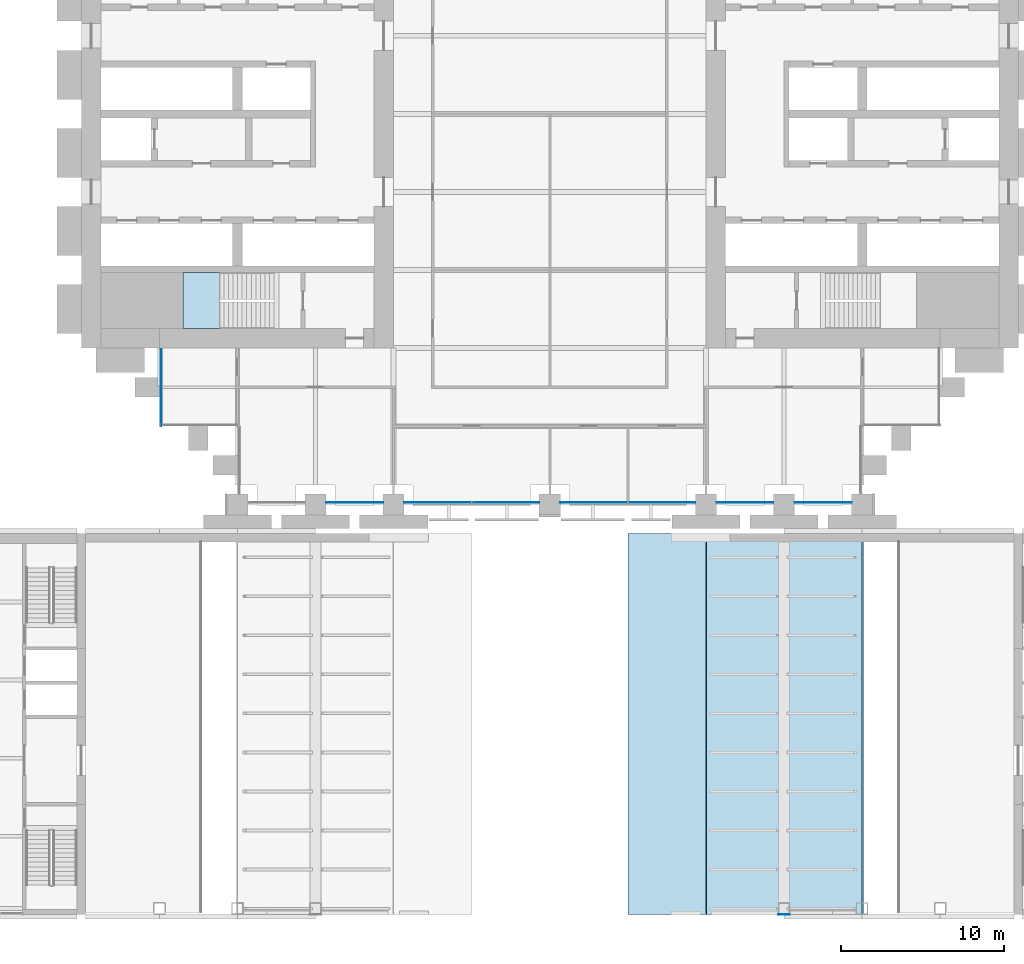
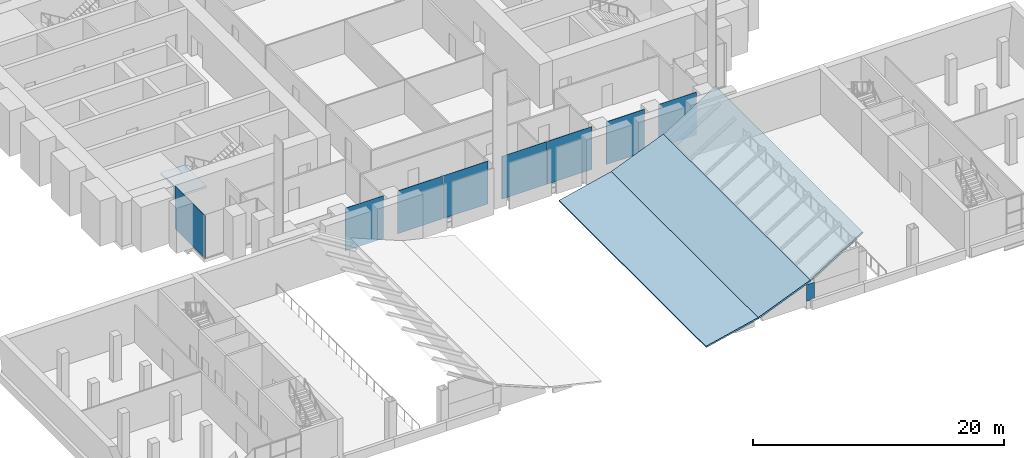
# One storey, part 17 of 32: 9 plates, 4 slabs, 3 elements without a shape of their own.
"""IFC4 building model written with IfcOpenShell, lengths in metres."""

from ifc_helpers import new_model, si_unit, direction, frame, origin, origin_2d, place, context, subcontext, project, spatial, polyline, rectangle, outline, extrude, material, layer, layer_set, type_object, element, aggregate, save


model = new_model("IFC4")

# Units and contexts
model_context = context("Model", 3, precision=1e-05, world=origin(), true_north=direction((0.0, 1.0)))
body_context = subcontext(model_context, "Body", "Model", "MODEL_VIEW")
ifc_project = project(units=[si_unit("LENGTHUNIT", "METRE"), si_unit("AREAUNIT", "SQUARE_METRE"), si_unit("VOLUMEUNIT", "CUBIC_METRE"), si_unit("PLANEANGLEUNIT", "RADIAN"), si_unit("MASSUNIT", "GRAM", prefix="KILO")], contexts=[model_context])

# Site, building, storey
site_placement = place(None, origin())
site = spatial("IfcSite", under=ifc_project, at=site_placement, CompositionType="ELEMENT")
building_placement = place(site_placement, origin())
building = spatial("IfcBuilding", under=site, at=building_placement, Name="Baori Bourse Tower", CompositionType="ELEMENT")
storey_placement = place(building_placement, frame((0.0, 0.0, 12.60009765625)))
storey = spatial("IfcBuildingStorey", under=building, at=storey_placement, Name="L01", CompositionType="ELEMENT", Elevation=12.60009765625)

# Curtain wall, plates
ifc_material_1 = material(Name="Pale anodised aluminium", Category="aluminium")
curtain_wall_type_1 = type_object("IfcCurtainWallType", Name="CW1 Curtain wall", PredefinedType="NOTDEFINED", material=ifc_material_1)
curtain_wall_1_placement = place(storey_placement, origin())
curtain_wall_1 = element("IfcCurtainWall", 1, at=curtain_wall_1_placement, inside=storey, type_object=curtain_wall_type_1, Name="Curtain wall CW1 L01 11", PredefinedType="NOTDEFINED")
ifc_material_2 = material(Name="Clear glass", Category="glass")
ifc_layer_1 = layer(ifc_material_2, 0.033935546875)
ifc_layer_set_1 = layer_set([ifc_layer_1], Name="CW1 Curtain wall panel")
plate_type_1 = type_object("IfcPlateType", Name="CW1 Curtain wall panel", PredefinedType="CURTAIN_PANEL", material=ifc_layer_set_1)
plate_1_placement = place(storey_placement, frame((16.800048828125, 0.10009765625, 0.080078125), z_axis=(0.0, 0.0, 1.0), x_axis=(1.0, 0.0, 0.0)))
plate_1 = element("IfcPlate", 2, at=plate_1_placement, type_object=plate_type_1, Name="Curtain wall CW1 panel", PredefinedType="CURTAIN_PANEL", context=body_context, shape_type="SweptSolid", body=[
    extrude(rectangle(XDim=3.5, YDim=0.033935546875, at=origin_2d()), origin(), (0.0, 0.0, 1.0), 4.159912109375),
])
plate_2_placement = place(storey_placement, frame((21.909912109375, 0.10009765625, 0.080078125), z_axis=(0.0, 0.0, 1.0), x_axis=(1.0, 0.0, 0.0)))
plate_2 = element("IfcPlate", 3, at=plate_2_placement, type_object=plate_type_1, Name="Curtain wall CW1 panel", PredefinedType="CURTAIN_PANEL", context=body_context, shape_type="SweptSolid", body=[
    extrude(rectangle(XDim=4.1201171875, YDim=0.033935546875, at=origin_2d()), origin(), (0.0, 0.0, 1.0), 4.159912109375),
])
plate_3_placement = place(storey_placement, frame((26.090087890625, 0.10009765625, 0.080078125), z_axis=(0.0, 0.0, 1.0), x_axis=(1.0, 0.0, 0.0)))
plate_3 = element("IfcPlate", 4, at=plate_3_placement, type_object=plate_type_1, Name="Curtain wall CW1 panel", PredefinedType="CURTAIN_PANEL", context=body_context, shape_type="SweptSolid", body=[
    extrude(rectangle(XDim=4.1201171875, YDim=0.033935546875, at=origin_2d()), origin(), (0.0, 0.0, 1.0), 4.159912109375),
])
plate_4_placement = place(storey_placement, frame((31.510009765625, 0.10009765625, 0.080078125), z_axis=(0.0, 0.0, 1.0), x_axis=(1.0, 0.0, 0.0)))
plate_4 = element("IfcPlate", 5, at=plate_4_placement, type_object=plate_type_1, Name="Curtain wall CW1 panel", PredefinedType="CURTAIN_PANEL", context=body_context, shape_type="SweptSolid", body=[
    extrude(rectangle(XDim=4.1201171875, YDim=0.033935546875, at=origin_2d()), origin(), (0.0, 0.0, 1.0), 4.159912109375),
])
plate_5_placement = place(storey_placement, frame((35.68994140625, 0.10009765625, 0.080078125), z_axis=(0.0, 0.0, 1.0), x_axis=(1.0, 0.0, 0.0)))
plate_5 = element("IfcPlate", 6, at=plate_5_placement, type_object=plate_type_1, Name="Curtain wall CW1 panel", PredefinedType="CURTAIN_PANEL", context=body_context, shape_type="SweptSolid", body=[
    extrude(rectangle(XDim=4.1201171875, YDim=0.033935546875, at=origin_2d()), origin(), (0.0, 0.0, 1.0), 4.159912109375),
])
plate_6_placement = place(storey_placement, frame((40.800048828125, 0.10009765625, 0.080078125), z_axis=(0.0, 0.0, 1.0), x_axis=(1.0, 0.0, 0.0)))
plate_6 = element("IfcPlate", 7, at=plate_6_placement, type_object=plate_type_1, Name="Curtain wall CW1 panel", PredefinedType="CURTAIN_PANEL", context=body_context, shape_type="SweptSolid", body=[
    extrude(rectangle(XDim=3.5, YDim=0.033935546875, at=origin_2d()), origin(), (0.0, 0.0, 1.0), 4.159912109375),
])
plate_7_placement = place(storey_placement, frame((45.60009765625, 0.10009765625, 0.080078125), z_axis=(0.0, 0.0, 1.0), x_axis=(1.0, 0.0, 0.0)))
plate_7 = element("IfcPlate", 8, at=plate_7_placement, type_object=plate_type_1, Name="Curtain wall CW1 panel", PredefinedType="CURTAIN_PANEL", context=body_context, shape_type="SweptSolid", body=[
    extrude(rectangle(XDim=3.5, YDim=0.033935546875, at=origin_2d()), origin(), (0.0, 0.0, 1.0), 4.159912109375),
])
aggregate(curtain_wall_1, [plate_1, plate_2, plate_3, plate_4, plate_5, plate_6, plate_7])

# Curtain wall, plate
ifc_material_3 = material(Name="Pale anodised aluminium", Category="aluminium")
curtain_wall_type_2 = type_object("IfcCurtainWallType", Name="CW2 Curtain wall", PredefinedType="NOTDEFINED", material=ifc_material_3)
curtain_wall_2_placement = place(storey_placement, origin())
curtain_wall_2 = element("IfcCurtainWall", 9, at=curtain_wall_2_placement, inside=storey, type_object=curtain_wall_type_2, Name="Curtain wall CW2 L01 8", PredefinedType="NOTDEFINED")
ifc_material_4 = material(Name="Clear glass", Category="glass")
ifc_layer_2 = layer(ifc_material_4, 0.030029296875)
ifc_layer_set_2 = layer_set([ifc_layer_2], Name="CW2 Curtain wall panel")
plate_type_2 = type_object("IfcPlateType", Name="CW2 Curtain wall panel", PredefinedType="CURTAIN_PANEL", material=ifc_layer_set_2)
plate_8_placement = place(storey_placement, frame((4.889892578125, 7.172607421875, 0.06982421875), z_axis=(0.0, 0.0, 1.0), x_axis=(0.0, -1.0, 0.0)))
plate_8 = element("IfcPlate", 10, at=plate_8_placement, type_object=plate_type_2, Name="Curtain wall CW2 panel", PredefinedType="CURTAIN_PANEL", context=body_context, shape_type="SweptSolid", body=[
    extrude(rectangle(XDim=4.7451171875, YDim=0.030029296875, at=origin_2d()), origin(), (0.0, 0.0, 1.0), 4.169921875),
])
aggregate(curtain_wall_2, [plate_8])

# Stair, slab
ifc_material_5 = material(Name="Concrete f'c 50 MPa", Category="concrete")
stair_type = type_object("IfcStairType", Name="Core stair", PredefinedType="HALF_TURN_STAIR", material=ifc_material_5)
stair_placement = place(storey_placement, origin())
stair = element("IfcStair", 11, at=stair_placement, inside=storey, type_object=stair_type, Name="L01 Stair WA", PredefinedType="HALF_TURN_STAIR")
ifc_material_6 = material(Name="Concrete f'c 50 MPa", Category="concrete")
slab_type_1 = type_object("IfcSlabType", Name="Core stair landing", PredefinedType="LANDING", material=ifc_material_6)
slab_1_placement = place(storey_placement, frame((0.0, 0.0, 2.0)))
slab_1 = element("IfcSlab", 12, at=slab_1_placement, type_object=slab_type_1, Name="ST1 landing 1", PredefinedType="LANDING", context=body_context, shape_type="SweptSolid", body=[
    extrude(outline(polyline([(8.489990234375, 14.25), (6.25, 14.25), (6.25, 10.800048828125), (8.489990234375, 10.800048828125), (8.489990234375, 14.25)])), origin(), (0.0, 0.0, 1.0), 0.199951171875),
])
aggregate(stair, [slab_1])

# Plate
ifc_material_7 = material(Name="Steel A572 Gr 50", Category="steel")
ifc_layer_3 = layer(ifc_material_7, 0.030029296875)
ifc_layer_set_3 = layer_set([ifc_layer_3], Name="Girder end plate 30")
plate_type_3 = type_object("IfcPlateType", Name="Girder end plate 30", PredefinedType="SHEET", material=ifc_layer_set_3)
plate_9_placement = place(storey_placement, frame((0.0, 0.0, 0.822021484375)))
element("IfcPlate", 13, at=plate_9_placement, inside=storey, type_object=plate_type_3, Name="Girder end plate", PredefinedType="SHEET", context=body_context, shape_type="SweptSolid", body=[
    extrude(outline(polyline([(42.85009765625, -25.22998046875), (43.550048828125, -25.22998046875), (43.550048828125, -25.199951171875), (42.85009765625, -25.199951171875), (42.85009765625, -25.22998046875)])), origin(), (0.0, 0.0, 1.0), 1.599853515625),
])

# Slabs
ifc_material_8 = material(Name="Concrete f'c 40 MPa", Category="concrete")
ifc_layer_4 = layer(ifc_material_8, 0.14990234375)
ifc_layer_set_4 = layer_set([ifc_layer_4], Name="Hall roof deck 150")
slab_type_2 = type_object("IfcSlabType", Name="Hall roof deck 150", PredefinedType="ROOF", material=ifc_layer_set_4)
slab_2_placement = place(storey_placement, frame((33.60009765625, -25.199951171875, -0.3359375), z_axis=(-0.227026035754, 0.0, 0.973888689271), x_axis=(0.973888689271, 0.0, 0.227026035754)))
element("IfcSlab", 14, at=slab_2_placement, inside=storey, type_object=slab_type_2, Name="wing/L01/deck/004", PredefinedType="ROOF", context=body_context, shape_type="SweptSolid", body=[
    extrude(outline(polyline([(0.0, 0.0), (4.9284941291325195, 0.0), (4.9284941291325195, 23.399902343750004), (0.0, 23.399902343750004), (0.0, 0.0)])), origin(), (0.0, 0.0, -1.0), 0.14990234375),
])
slab_3_placement = place(storey_placement, frame((38.39990234375, -25.199951171875, 0.782958984375), z_axis=(-0.378466022499, 0.0, 0.92561518452), x_axis=(0.92561518452, 0.0, 0.378466022499)))
element("IfcSlab", 15, at=slab_3_placement, inside=storey, type_object=slab_type_2, Name="wing/L01/deck/005", PredefinedType="ROOF", context=body_context, shape_type="SweptSolid", body=[
    extrude(outline(polyline([(0.0, 0.0), (5.185793090262447, 0.0), (5.185793090262447, 23.39990234375), (0.0, 23.39990234375), (0.0, 0.0)])), origin(), (0.0, 0.0, -1.0), 0.14990234375),
])
slab_4_placement = place(storey_placement, frame((43.199951171875, -25.199951171875, 2.74560546875), z_axis=(-0.530212121578, 0.0, 0.847865028251), x_axis=(0.847865028251, 0.0, 0.530212121578)))
element("IfcSlab", 16, at=slab_4_placement, inside=storey, type_object=slab_type_2, Name="wing/L01/deck/006", PredefinedType="ROOF", context=body_context, shape_type="SweptSolid", body=[
    extrude(outline(polyline([(0.0, 0.0), (5.66133602423154, 0.0), (5.66133602423154, 23.39990234375), (0.0, 23.39990234375), (0.0, 0.0)])), origin(), (0.0, 0.0, -1.0), 0.14990234375),
])

save(model, "model.ifc")
